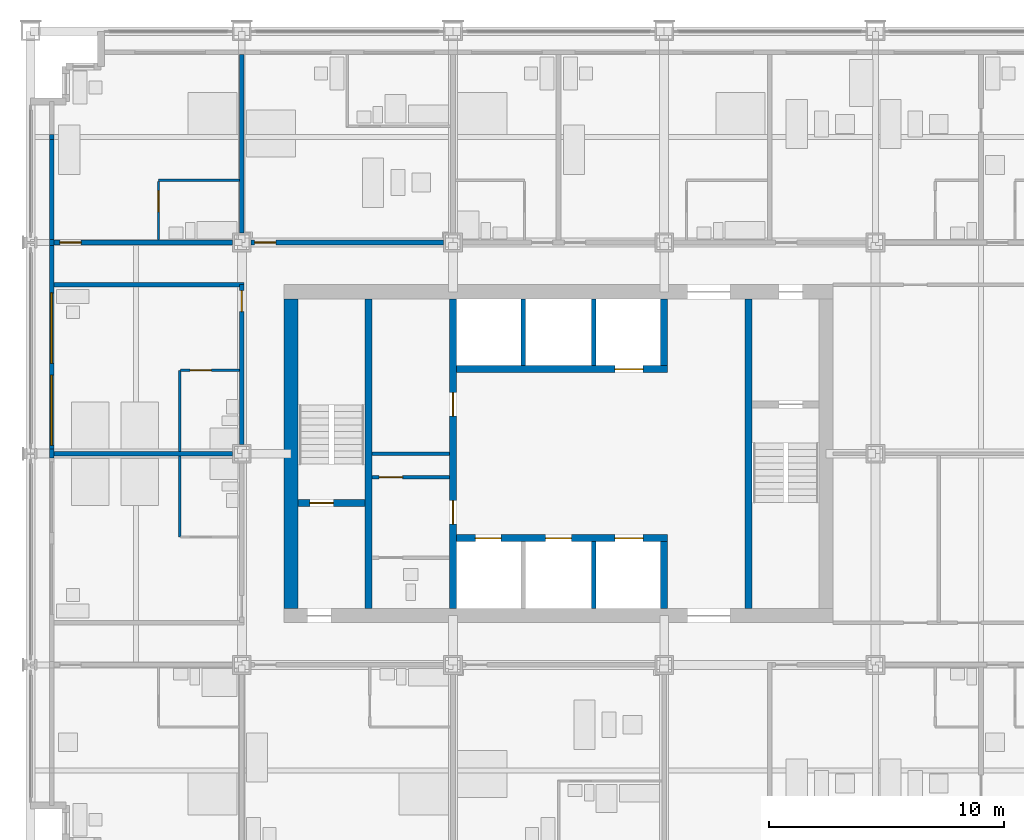
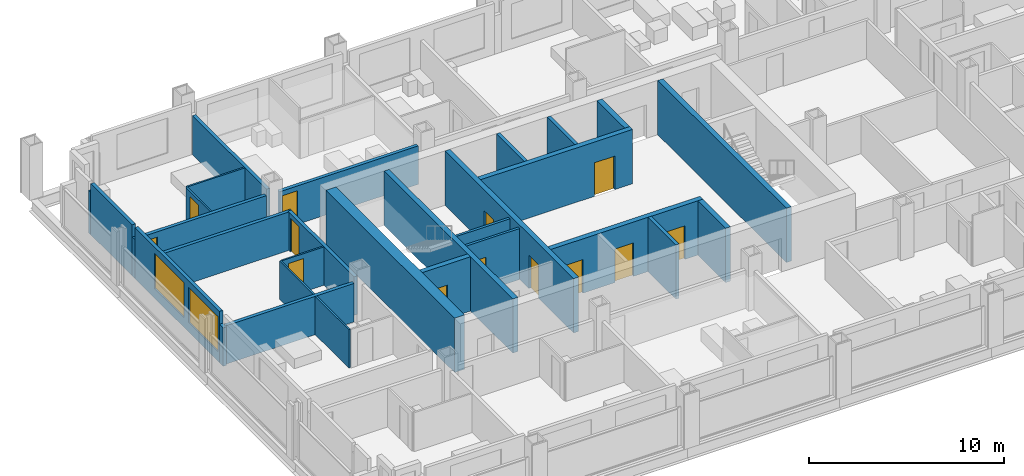
# One storey, part 11 of 18: 30 walls, 13 doors, 2 windows, 15 openings.
"""IFC4 building model written with IfcOpenShell, lengths in metres."""

from ifc_helpers import new_model, si_unit, direction, frame, frame_2d, origin, place, context, subcontext, project, spatial, rectangle, extrude, material, layer, layer_set, type_object, element, fill, save


model = new_model("IFC4")

# Units and contexts
model_context = context("Model", 3, precision=1e-05, world=origin(), true_north=direction((0.0, 1.0)))
body_context = subcontext(model_context, "Body", "Model", "MODEL_VIEW")
ifc_project = project(units=[si_unit("LENGTHUNIT", "METRE"), si_unit("AREAUNIT", "SQUARE_METRE"), si_unit("VOLUMEUNIT", "CUBIC_METRE"), si_unit("PLANEANGLEUNIT", "RADIAN"), si_unit("MASSUNIT", "GRAM", prefix="KILO")], contexts=[model_context])

# Site, building, storey
site_placement = place(None, origin())
site = spatial("IfcSite", under=ifc_project, at=site_placement, CompositionType="ELEMENT")
building_placement = place(site_placement, origin())
building = spatial("IfcBuilding", under=site, at=building_placement, Name="Loomwork Tower", CompositionType="ELEMENT")
storey_placement = place(building_placement, frame((0.0, 0.0, 72.199951171875)))
storey = spatial("IfcBuildingStorey", under=building, at=storey_placement, Name="L18", CompositionType="ELEMENT", Elevation=72.199951171875)

# Wall
ifc_material_1 = material(Name="Concrete 14000 psi (97 MPa)", Category="concrete")
ifc_layer_1 = layer(ifc_material_1, 0.300048828125)
ifc_layer_set_1 = layer_set([ifc_layer_1], Name="Core shear wall 300")
wall_type_1 = type_object("IfcWallType", Name="Core shear wall 300", PredefinedType="SHEAR", material=ifc_layer_set_1)
wall_1_placement = place(storey_placement, frame((14.39990234375, 11.39990234375, 0.0), z_axis=(0.0, 0.0, 1.0), x_axis=(0.0, 1.0, 0.0)))
element("IfcWall", 1, at=wall_1_placement, inside=storey, type_object=wall_type_1, Name="Stair A east wall L18", PredefinedType="SHEAR", context=body_context, shape_type="SweptSolid", body=[
    extrude(rectangle(XDim=13.2001953125, YDim=0.300048828125, at=frame_2d((6.60009765625, 0.0))), origin(), (0.0, 0.0, 1.0), 3.400146484375),
])

# Wall, opening, door
wall_2_placement = place(storey_placement, frame((11.39990234375, 15.89990234375, 0.0), z_axis=(0.0, 0.0, 1.0), x_axis=(1.0, 0.0, 0.0)))
wall_2 = element("IfcWall", 2, at=wall_2_placement, inside=storey, type_object=wall_type_1, Name="Stair A south wall L18", PredefinedType="SHEAR", context=body_context, shape_type="SweptSolid", body=[
    extrude(rectangle(XDim=2.85009765625, YDim=0.300048828125, at=frame_2d((1.425048828125, 0.0))), origin(), (0.0, 0.0, 1.0), 3.400146484375),
])
opening_1_placement = place(wall_2_placement, frame((0.5, 0.0, 0.0)))
opening_1 = element("IfcOpeningElement", 3, at=opening_1_placement, cuts=wall_2, Name="Opening D4", PredefinedType="OPENING", context=body_context, shape_type="SweptSolid", body=[
    extrude(rectangle(XDim=1.0, YDim=2.10009765625, at=frame_2d((0.5, 1.050048828125))), frame((0.0, 0.159912109375, 0.0), z_axis=(0.0, -1.0, 0.0), x_axis=(1.0, 0.0, 0.0)), (0.0, 0.0, 1.0), 0.320068359375),
])
ifc_material_2 = material(Name="Hollow metal door and frame")
door_type_1 = type_object("IfcDoorType", Name="Stair door 1000", OperationType="SINGLE_SWING_RIGHT", PredefinedType="DOOR", material=ifc_material_2)
door_1_placement = place(opening_1_placement, origin())
door_1 = element("IfcDoor", 4, at=door_1_placement, inside=storey, type_object=door_type_1, Name="Stair A door", OperationType="SINGLE_SWING_LEFT", OverallHeight=2.10009765625, OverallWidth=1.0, PredefinedType="DOOR", context=body_context, shape_type="SweptSolid", body=[
    extrude(rectangle(XDim=1.0, YDim=2.10009765625, at=frame_2d((0.5, 1.050048828125))), frame((0.0, 0.02490234375, 0.0), z_axis=(0.0, -1.0, 0.0), x_axis=(1.0, 0.0, 0.0)), (0.0, 0.0, 1.0), 0.050048828125),
])
fill(opening_1, door_1)

# Wall, openings, doors
wall_3_placement = place(storey_placement, frame((18.0, 11.39990234375, 0.0), z_axis=(0.0, 0.0, 1.0), x_axis=(0.0, 1.0, 0.0)))
wall_3 = element("IfcWall", 5, at=wall_3_placement, inside=storey, type_object=wall_type_1, Name="Lobby west wall L18", PredefinedType="SHEAR", context=body_context, shape_type="SweptSolid", body=[
    extrude(rectangle(XDim=13.2001953125, YDim=0.300048828125, at=frame_2d((6.60009765625, 0.0))), origin(), (0.0, 0.0, 1.0), 3.400146484375),
])
opening_2_placement = place(wall_3_placement, frame((3.60009765625, 0.0, 0.0)))
opening_2 = element("IfcOpeningElement", 6, at=opening_2_placement, cuts=wall_3, Name="Opening D5", PredefinedType="OPENING", context=body_context, shape_type="SweptSolid", body=[
    extrude(rectangle(XDim=1.0, YDim=2.10009765625, at=frame_2d((0.5, 1.050048828125))), frame((0.0, 0.159912109375, 0.0), z_axis=(0.0, -1.0, 0.0), x_axis=(1.0, 0.0, 0.0)), (0.0, 0.0, 1.0), 0.320068359375),
])
opening_3_placement = place(wall_3_placement, frame((8.199951171875, 0.0, 0.0)))
opening_3 = element("IfcOpeningElement", 7, at=opening_3_placement, cuts=wall_3, Name="Opening D5", PredefinedType="OPENING", context=body_context, shape_type="SweptSolid", body=[
    extrude(rectangle(XDim=1.0, YDim=2.10009765625, at=frame_2d((0.5, 1.050048828125))), frame((0.0, 0.159912109375, 0.0), z_axis=(0.0, -1.0, 0.0), x_axis=(1.0, 0.0, 0.0)), (0.0, 0.0, 1.0), 0.320068359375),
])
ifc_material_3 = material(Name="Hollow metal door and frame")
door_type_2 = type_object("IfcDoorType", Name="Service door 1000", OperationType="SINGLE_SWING_LEFT", PredefinedType="DOOR", material=ifc_material_3)
door_2_placement = place(opening_2_placement, origin())
door_2 = element("IfcDoor", 8, at=door_2_placement, inside=storey, type_object=door_type_2, Name="Back-of-house door south", OperationType="SINGLE_SWING_LEFT", OverallHeight=2.10009765625, OverallWidth=1.0, PredefinedType="DOOR", context=body_context, shape_type="SweptSolid", body=[
    extrude(rectangle(XDim=1.0, YDim=2.10009765625, at=frame_2d((0.5, 1.050048828125))), frame((0.0, 0.02490234375, 0.0), z_axis=(0.0, -1.0, 0.0), x_axis=(1.0, 0.0, 0.0)), (0.0, 0.0, 1.0), 0.050048828125),
])
fill(opening_2, door_2)
door_3_placement = place(opening_3_placement, origin())
door_3 = element("IfcDoor", 9, at=door_3_placement, inside=storey, type_object=door_type_2, Name="Back-of-house door north", OperationType="SINGLE_SWING_RIGHT", OverallHeight=2.10009765625, OverallWidth=1.0, PredefinedType="DOOR", context=body_context, shape_type="SweptSolid", body=[
    extrude(rectangle(XDim=1.0, YDim=2.10009765625, at=frame_2d((0.5, 1.050048828125))), frame((0.0, 0.02490234375, 0.0), z_axis=(0.0, -1.0, 0.0), x_axis=(1.0, 0.0, 0.0)), (0.0, 0.0, 1.0), 0.050048828125),
])
fill(opening_3, door_3)

wall_4_placement = place(storey_placement, frame((18.14990234375, 14.39990234375, 0.0), z_axis=(0.0, 0.0, 1.0), x_axis=(1.0, 0.0, 0.0)))
wall_4 = element("IfcWall", 10, at=wall_4_placement, inside=storey, type_object=wall_type_1, Name="Lift front wall south L18", PredefinedType="SHEAR", context=body_context, shape_type="SweptSolid", body=[
    extrude(rectangle(XDim=9.0, YDim=0.300048828125, at=frame_2d((4.5, 0.0))), origin(), (0.0, 0.0, 1.0), 3.400146484375),
])
opening_4_placement = place(wall_4_placement, frame((0.800048828125, 0.0, 0.0)))
opening_4 = element("IfcOpeningElement", 11, at=opening_4_placement, cuts=wall_4, Name="Opening LD1", PredefinedType="OPENING", context=body_context, shape_type="SweptSolid", body=[
    extrude(rectangle(XDim=1.10009765625, YDim=2.10009765625, at=frame_2d((0.550048828125, 1.050048828125))), frame((0.0, 0.159912109375, 0.0), z_axis=(0.0, -1.0, 0.0), x_axis=(1.0, 0.0, 0.0)), (0.0, 0.0, 1.0), 0.320068359375),
])
opening_5_placement = place(wall_4_placement, frame((3.800048828125, 0.0, 0.0)))
opening_5 = element("IfcOpeningElement", 12, at=opening_5_placement, cuts=wall_4, Name="Opening LD1", PredefinedType="OPENING", context=body_context, shape_type="SweptSolid", body=[
    extrude(rectangle(XDim=1.10009765625, YDim=2.10009765625, at=frame_2d((0.550048828125, 1.050048828125))), frame((0.0, 0.159912109375, 0.0), z_axis=(0.0, -1.0, 0.0), x_axis=(1.0, 0.0, 0.0)), (0.0, 0.0, 1.0), 0.320068359375),
])
opening_6_placement = place(wall_4_placement, frame((6.75, 0.0, 0.0)))
opening_6 = element("IfcOpeningElement", 13, at=opening_6_placement, cuts=wall_4, Name="Opening LD2", PredefinedType="OPENING", context=body_context, shape_type="SweptSolid", body=[
    extrude(rectangle(XDim=1.199951171875, YDim=2.10009765625, at=frame_2d((0.60009765625, 1.050048828125))), frame((0.0, 0.159912109375, 0.0), z_axis=(0.0, -1.0, 0.0), x_axis=(1.0, 0.0, 0.0)), (0.0, 0.0, 1.0), 0.320068359375),
])
ifc_material_4 = material(Name="Hollow metal door and frame")
door_type_3 = type_object("IfcDoorType", Name="Lift landing door 1100", OperationType="SLIDING_TO_LEFT", PredefinedType="DOOR", material=ifc_material_4)
door_4_placement = place(opening_4_placement, origin())
door_4 = element("IfcDoor", 14, at=door_4_placement, inside=storey, type_object=door_type_3, Name="Lift landing door LA1", OperationType="SLIDING_TO_LEFT", OverallHeight=2.10009765625, OverallWidth=1.10009765625, PredefinedType="DOOR", context=body_context, shape_type="SweptSolid", body=[
    extrude(rectangle(XDim=1.10009765625, YDim=2.10009765625, at=frame_2d((0.550048828125, 1.050048828125))), frame((0.0, 0.02490234375, 0.0), z_axis=(0.0, -1.0, 0.0), x_axis=(1.0, 0.0, 0.0)), (0.0, 0.0, 1.0), 0.050048828125),
])
fill(opening_4, door_4)
door_5_placement = place(opening_5_placement, origin())
door_5 = element("IfcDoor", 15, at=door_5_placement, inside=storey, type_object=door_type_3, Name="Lift landing door LA2", OperationType="SLIDING_TO_LEFT", OverallHeight=2.10009765625, OverallWidth=1.10009765625, PredefinedType="DOOR", context=body_context, shape_type="SweptSolid", body=[
    extrude(rectangle(XDim=1.10009765625, YDim=2.10009765625, at=frame_2d((0.550048828125, 1.050048828125))), frame((0.0, 0.02490234375, 0.0), z_axis=(0.0, -1.0, 0.0), x_axis=(1.0, 0.0, 0.0)), (0.0, 0.0, 1.0), 0.050048828125),
])
fill(opening_5, door_5)
ifc_material_5 = material(Name="Hollow metal door and frame")
door_type_4 = type_object("IfcDoorType", Name="Lift landing door 1200", OperationType="SLIDING_TO_LEFT", PredefinedType="DOOR", material=ifc_material_5)
door_6_placement = place(opening_6_placement, origin())
door_6 = element("IfcDoor", 16, at=door_6_placement, inside=storey, type_object=door_type_4, Name="Lift landing door LF1", OperationType="SLIDING_TO_LEFT", OverallHeight=2.10009765625, OverallWidth=1.199951171875, PredefinedType="DOOR", context=body_context, shape_type="SweptSolid", body=[
    extrude(rectangle(XDim=1.199951171875, YDim=2.10009765625, at=frame_2d((0.60009765625, 1.050048828125))), frame((0.0, 0.02490234375, 0.0), z_axis=(0.0, -1.0, 0.0), x_axis=(1.0, 0.0, 0.0)), (0.0, 0.0, 1.0), 0.050048828125),
])
fill(opening_6, door_6)

# Wall
wall_5_placement = place(storey_placement, frame((27.0, 11.39990234375, 0.0), z_axis=(0.0, 0.0, 1.0), x_axis=(0.0, 1.0, 0.0)))
element("IfcWall", 17, at=wall_5_placement, inside=storey, type_object=wall_type_1, Name="Lift shaft end wall south L18", PredefinedType="SHEAR", context=body_context, shape_type="SweptSolid", body=[
    extrude(rectangle(XDim=2.85009765625, YDim=0.300048828125, at=frame_2d((1.425048828125, 0.0))), origin(), (0.0, 0.0, 1.0), 3.400146484375),
])

# Wall, opening, door
wall_6_placement = place(storey_placement, frame((18.14990234375, 21.60009765625, 0.0), z_axis=(0.0, 0.0, 1.0), x_axis=(1.0, 0.0, 0.0)))
wall_6 = element("IfcWall", 18, at=wall_6_placement, inside=storey, type_object=wall_type_1, Name="Lift front wall north L18", PredefinedType="SHEAR", context=body_context, shape_type="SweptSolid", body=[
    extrude(rectangle(XDim=9.0, YDim=0.300048828125, at=frame_2d((4.5, 0.0))), origin(), (0.0, 0.0, 1.0), 3.400146484375),
])
opening_7_placement = place(wall_6_placement, frame((6.75, 0.0, 0.0)))
opening_7 = element("IfcOpeningElement", 19, at=opening_7_placement, cuts=wall_6, Name="Opening LD2", PredefinedType="OPENING", context=body_context, shape_type="SweptSolid", body=[
    extrude(rectangle(XDim=1.199951171875, YDim=2.10009765625, at=frame_2d((0.60009765625, 1.050048828125))), frame((0.0, 0.159912109375, 0.0), z_axis=(0.0, -1.0, 0.0), x_axis=(1.0, 0.0, 0.0)), (0.0, 0.0, 1.0), 0.320068359375),
])
door_7_placement = place(opening_7_placement, origin())
door_7 = element("IfcDoor", 20, at=door_7_placement, inside=storey, type_object=door_type_4, Name="Lift landing door LF2", OperationType="SLIDING_TO_LEFT", OverallHeight=2.10009765625, OverallWidth=1.199951171875, PredefinedType="DOOR", context=body_context, shape_type="SweptSolid", body=[
    extrude(rectangle(XDim=1.199951171875, YDim=2.10009765625, at=frame_2d((0.60009765625, 1.050048828125))), frame((0.0, 0.02490234375, 0.0), z_axis=(0.0, -1.0, 0.0), x_axis=(1.0, 0.0, 0.0)), (0.0, 0.0, 1.0), 0.050048828125),
])
fill(opening_7, door_7)

# Walls
wall_7_placement = place(storey_placement, frame((27.0, 21.75, 0.0), z_axis=(0.0, 0.0, 1.0), x_axis=(0.0, 1.0, 0.0)))
element("IfcWall", 21, at=wall_7_placement, inside=storey, type_object=wall_type_1, Name="Lift shaft end wall north L18", PredefinedType="SHEAR", context=body_context, shape_type="SweptSolid", body=[
    extrude(rectangle(XDim=2.85009765625, YDim=0.300048828125, at=frame_2d((1.425048828125, 0.0))), origin(), (0.0, 0.0, 1.0), 3.400146484375),
])
wall_8_placement = place(storey_placement, frame((30.60009765625, 11.39990234375, 0.0), z_axis=(0.0, 0.0, 1.0), x_axis=(0.0, 1.0, 0.0)))
element("IfcWall", 22, at=wall_8_placement, inside=storey, type_object=wall_type_1, Name="Stair B west wall L18", PredefinedType="SHEAR", context=body_context, shape_type="SweptSolid", body=[
    extrude(rectangle(XDim=13.2001953125, YDim=0.300048828125, at=frame_2d((6.60009765625, 0.0))), origin(), (0.0, 0.0, 1.0), 3.400146484375),
])
ifc_material_6 = material(Name="Concrete 14000 psi (97 MPa)", Category="concrete")
ifc_layer_2 = layer(ifc_material_6, 0.60009765625)
ifc_layer_set_2 = layer_set([ifc_layer_2], Name="Core shear wall 600")
wall_type_2 = type_object("IfcWallType", Name="Core shear wall 600", PredefinedType="SHEAR", material=ifc_layer_set_2)
wall_9_placement = place(storey_placement, frame((11.10009765625, 11.39990234375, 0.0), z_axis=(0.0, 0.0, 1.0), x_axis=(0.0, 1.0, 0.0)))
element("IfcWall", 23, at=wall_9_placement, inside=storey, type_object=wall_type_2, Name="Core wall west L18", PredefinedType="SHEAR", context=body_context, shape_type="SweptSolid", body=[
    extrude(rectangle(XDim=13.2001953125, YDim=0.60009765625, at=frame_2d((6.60009765625, 0.0))), origin(), (0.0, 0.0, 1.0), 3.400146484375),
])

# Wall, opening, door
ifc_material_7 = material(Name="Gypsum board on steel studs, one-hour", Category="steel")
ifc_layer_3 = layer(ifc_material_7, 0.199951171875)
ifc_layer_set_3 = layer_set([ifc_layer_3], Name="Corridor wall 200")
wall_type_3 = type_object("IfcWallType", Name="Corridor wall 200", PredefinedType="PARTITIONING", material=ifc_layer_set_3)
wall_10_placement = place(storey_placement, frame((1.0, 27.0, 0.0), z_axis=(0.0, 0.0, 1.0), x_axis=(1.0, 0.0, 0.0)))
wall_10 = element("IfcWall", 24, at=wall_10_placement, inside=storey, type_object=wall_type_3, Name="North corridor wall 1", PredefinedType="PARTITIONING", context=body_context, shape_type="SweptSolid", body=[
    extrude(rectangle(XDim=7.60009765625, YDim=0.199951171875, at=frame_2d((3.800048828125, 0.0))), origin(), (0.0, 0.0, 1.0), 2.43798828125),
])
opening_8_placement = place(wall_10_placement, frame((0.25, 0.0, 0.0)))
opening_8 = element("IfcOpeningElement", 25, at=opening_8_placement, cuts=wall_10, Name="Opening D1", PredefinedType="OPENING", context=body_context, shape_type="SweptSolid", body=[
    extrude(rectangle(XDim=0.89990234375, YDim=2.10009765625, at=frame_2d((0.449951171875, 1.050048828125))), frame((0.0, 0.10986328125, 0.0), z_axis=(0.0, -1.0, 0.0), x_axis=(1.0, 0.0, 0.0)), (0.0, 0.0, 1.0), 0.219970703125),
])
ifc_material_8 = material(Name="Hollow metal door and frame")
door_type_5 = type_object("IfcDoorType", Name="Guest room entry door 900", OperationType="SINGLE_SWING_LEFT", PredefinedType="DOOR", material=ifc_material_8)
door_8_placement = place(opening_8_placement, origin())
door_8 = element("IfcDoor", 26, at=door_8_placement, inside=storey, type_object=door_type_5, Name="Guest room entry door L18 7", OperationType="SINGLE_SWING_LEFT", OverallHeight=2.10009765625, OverallWidth=0.89990234375, PredefinedType="DOOR", context=body_context, shape_type="SweptSolid", body=[
    extrude(rectangle(XDim=0.89990234375, YDim=2.10009765625, at=frame_2d((0.449951171875, 1.050048828125))), frame((0.0, 0.02490234375, 0.0), z_axis=(0.0, -1.0, 0.0), x_axis=(1.0, 0.0, 0.0)), (0.0, 0.0, 1.0), 0.050048828125),
])
fill(opening_8, door_8)

wall_11_placement = place(storey_placement, frame((9.39990234375, 27.0, 0.0), z_axis=(0.0, 0.0, 1.0), x_axis=(1.0, 0.0, 0.0)))
wall_11 = element("IfcWall", 27, at=wall_11_placement, inside=storey, type_object=wall_type_3, Name="North corridor wall 2", PredefinedType="PARTITIONING", context=body_context, shape_type="SweptSolid", body=[
    extrude(rectangle(XDim=8.2001953125, YDim=0.199951171875, at=frame_2d((4.10009765625, 0.0))), origin(), (0.0, 0.0, 1.0), 2.405029296875),
])
opening_9_placement = place(wall_11_placement, frame((0.14990234375, 0.0, 0.0)))
opening_9 = element("IfcOpeningElement", 28, at=opening_9_placement, cuts=wall_11, Name="Opening D1", PredefinedType="OPENING", context=body_context, shape_type="SweptSolid", body=[
    extrude(rectangle(XDim=0.89990234375, YDim=2.10009765625, at=frame_2d((0.449951171875, 1.050048828125))), frame((0.0, 0.10986328125, 0.0), z_axis=(0.0, -1.0, 0.0), x_axis=(1.0, 0.0, 0.0)), (0.0, 0.0, 1.0), 0.219970703125),
])
door_9_placement = place(opening_9_placement, origin())
door_9 = element("IfcDoor", 29, at=door_9_placement, inside=storey, type_object=door_type_5, Name="Guest room entry door L18 8", OperationType="SINGLE_SWING_LEFT", OverallHeight=2.10009765625, OverallWidth=0.89990234375, PredefinedType="DOOR", context=body_context, shape_type="SweptSolid", body=[
    extrude(rectangle(XDim=0.89990234375, YDim=2.10009765625, at=frame_2d((0.449951171875, 1.050048828125))), frame((0.0, 0.02490234375, 0.0), z_axis=(0.0, -1.0, 0.0), x_axis=(1.0, 0.0, 0.0)), (0.0, 0.0, 1.0), 0.050048828125),
])
fill(opening_9, door_9)

wall_12_placement = place(storey_placement, frame((9.0, 18.39990234375, 0.0), z_axis=(0.0, 0.0, 1.0), x_axis=(0.0, 1.0, 0.0)))
wall_12 = element("IfcWall", 30, at=wall_12_placement, inside=storey, type_object=wall_type_3, Name="West corridor wall 2", PredefinedType="PARTITIONING", context=body_context, shape_type="SweptSolid", body=[
    extrude(rectangle(XDim=6.800048828125, YDim=0.199951171875, at=frame_2d((3.39990234375, 0.0))), origin(), (0.0, 0.0, 1.0), 2.405029296875),
])
opening_10_placement = place(wall_12_placement, frame((5.64990234375, 0.0, 0.0)))
opening_10 = element("IfcOpeningElement", 31, at=opening_10_placement, cuts=wall_12, Name="Opening D1", PredefinedType="OPENING", context=body_context, shape_type="SweptSolid", body=[
    extrude(rectangle(XDim=0.89990234375, YDim=2.10009765625, at=frame_2d((0.449951171875, 1.050048828125))), frame((0.0, 0.10986328125, 0.0), z_axis=(0.0, -1.0, 0.0), x_axis=(1.0, 0.0, 0.0)), (0.0, 0.0, 1.0), 0.219970703125),
])
door_10_placement = place(opening_10_placement, origin())
door_10 = element("IfcDoor", 32, at=door_10_placement, inside=storey, type_object=door_type_5, Name="Guest room entry door L18 15", OperationType="SINGLE_SWING_RIGHT", OverallHeight=2.10009765625, OverallWidth=0.89990234375, PredefinedType="DOOR", context=body_context, shape_type="SweptSolid", body=[
    extrude(rectangle(XDim=0.89990234375, YDim=2.10009765625, at=frame_2d((0.449951171875, 1.050048828125))), frame((0.0, 0.02490234375, 0.0), z_axis=(0.0, -1.0, 0.0), x_axis=(1.0, 0.0, 0.0)), (0.0, 0.0, 1.0), 0.050048828125),
])
fill(opening_10, door_10)

# Walls
wall_13_placement = place(storey_placement, frame((1.0, 25.199951171875, 0.0), z_axis=(0.0, 0.0, 1.0), x_axis=(1.0, 0.0, 0.0)))
element("IfcWall", 33, at=wall_13_placement, inside=storey, type_object=wall_type_3, Name="West band end wall N", PredefinedType="PARTITIONING", context=body_context, shape_type="SweptSolid", body=[
    extrude(rectangle(XDim=8.10009765625, YDim=0.199951171875, at=frame_2d((4.050048828125, 0.0))), origin(), (0.0, 0.0, 1.0), 2.404052734375),
])
ifc_material_9 = material(Name="Cement board on steel studs", Category="steel")
ifc_layer_4 = layer(ifc_material_9, 0.10009765625)
ifc_layer_set_4 = layer_set([ifc_layer_4], Name="En-suite partition 100")
wall_type_4 = type_object("IfcWallType", Name="En-suite partition 100", PredefinedType="PARTITIONING", material=ifc_layer_set_4)
wall_14_placement = place(storey_placement, frame((5.449951171875, 29.64990234375, 0.0), z_axis=(0.0, 0.0, 1.0), x_axis=(1.0, 0.0, 0.0)))
element("IfcWall", 34, at=wall_14_placement, inside=storey, type_object=wall_type_4, Name="En-suite wall L18 room 7", PredefinedType="PARTITIONING", context=body_context, shape_type="SweptSolid", body=[
    extrude(rectangle(XDim=3.449951171875, YDim=0.10009765625, at=frame_2d((1.72509765625, 0.0))), origin(), (0.0, 0.0, 1.0), 2.43798828125),
])

# Wall, opening, door
wall_15_placement = place(storey_placement, frame((5.449951171875, 27.10009765625, 0.0), z_axis=(0.0, 0.0, 1.0), x_axis=(0.0, 1.0, 0.0)))
wall_15 = element("IfcWall", 35, at=wall_15_placement, inside=storey, type_object=wall_type_4, Name="En-suite side wall L18 room 7", PredefinedType="PARTITIONING", context=body_context, shape_type="SweptSolid", body=[
    extrude(rectangle(XDim=2.5, YDim=0.10009765625, at=frame_2d((1.25, 0.0))), origin(), (0.0, 0.0, 1.0), 2.43798828125),
])
opening_11_placement = place(wall_15_placement, frame((1.199951171875, 0.0, 0.0)))
opening_11 = element("IfcOpeningElement", 36, at=opening_11_placement, cuts=wall_15, Name="Opening D2", PredefinedType="OPENING", context=body_context, shape_type="SweptSolid", body=[
    extrude(rectangle(XDim=0.89990234375, YDim=2.10009765625, at=frame_2d((0.449951171875, 1.050048828125))), frame((0.0, 0.06005859375, 0.0), z_axis=(0.0, -1.0, 0.0), x_axis=(1.0, 0.0, 0.0)), (0.0, 0.0, 1.0), 0.1201171875),
])
ifc_material_10 = material(Name="Hollow metal door and frame")
door_type_6 = type_object("IfcDoorType", Name="En-suite door 900", OperationType="SINGLE_SWING_LEFT", PredefinedType="DOOR", material=ifc_material_10)
door_11_placement = place(opening_11_placement, frame((0.89990234375, 0.0, 0.0), z_axis=(0.0, 0.0, 1.0), x_axis=(-1.0, 0.0, 0.0)))
door_11 = element("IfcDoor", 37, at=door_11_placement, inside=storey, type_object=door_type_6, Name="En-suite door room 7", OperationType="SINGLE_SWING_LEFT", OverallHeight=2.10009765625, OverallWidth=0.89990234375, PredefinedType="DOOR", context=body_context, shape_type="SweptSolid", body=[
    extrude(rectangle(XDim=0.89990234375, YDim=2.10009765625, at=frame_2d((0.449951171875, 1.050048828125))), frame((0.0, 0.02490234375, 0.0), z_axis=(0.0, -1.0, 0.0), x_axis=(1.0, 0.0, 0.0)), (0.0, 0.0, 1.0), 0.050048828125),
])
fill(opening_11, door_11)

# Walls
for number, where, z_axis, x_axis, name in (
    (38, (6.35009765625, 14.449951171875, 0.0), (0.0, 0.0, 1.0), (0.0, 1.0, 0.0), "En-suite wall L18 room 14"),
    (39, (6.35009765625, 18.10009765625, 0.0), (0.0, 0.0, 1.0), (0.0, 1.0, 0.0), "En-suite wall L18 room 15"),
):
    element("IfcWall", number, at=place(storey_placement, frame(where, z_axis=z_axis, x_axis=x_axis)), inside=storey, type_object=wall_type_4, Name=name, PredefinedType="PARTITIONING", context=body_context, shape_type="SweptSolid", body=[
        extrude(rectangle(XDim=3.449951171875, YDim=0.10009765625, at=frame_2d((1.72509765625, 0.0))), origin(), (0.0, 0.0, 1.0), 2.404052734375),
    ])

# Wall, opening, door
wall_16_placement = place(storey_placement, frame((8.89990234375, 21.550048828125, 0.0), z_axis=(0.0, 0.0, 1.0), x_axis=(-1.0, 0.0, 0.0)))
wall_16 = element("IfcWall", 40, at=wall_16_placement, inside=storey, type_object=wall_type_4, Name="En-suite side wall L18 room 15", PredefinedType="PARTITIONING", context=body_context, shape_type="SweptSolid", body=[
    extrude(rectangle(XDim=2.5, YDim=0.10009765625, at=frame_2d((1.25, 0.0))), origin(), (0.0, 0.0, 1.0), 2.404052734375),
])
opening_12_placement = place(wall_16_placement, frame((1.199951171875, 0.0, 0.0)))
opening_12 = element("IfcOpeningElement", 41, at=opening_12_placement, cuts=wall_16, Name="Opening D2", PredefinedType="OPENING", context=body_context, shape_type="SweptSolid", body=[
    extrude(rectangle(XDim=0.89990234375, YDim=2.10009765625, at=frame_2d((0.449951171875, 1.050048828125))), frame((0.0, 0.06005859375, 0.0), z_axis=(0.0, -1.0, 0.0), x_axis=(1.0, 0.0, 0.0)), (0.0, 0.0, 1.0), 0.1201171875),
])
door_12_placement = place(opening_12_placement, origin())
door_12 = element("IfcDoor", 42, at=door_12_placement, inside=storey, type_object=door_type_6, Name="En-suite door room 15", OperationType="SINGLE_SWING_RIGHT", OverallHeight=2.10009765625, OverallWidth=0.89990234375, PredefinedType="DOOR", context=body_context, shape_type="SweptSolid", body=[
    extrude(rectangle(XDim=0.89990234375, YDim=2.10009765625, at=frame_2d((0.449951171875, 1.050048828125))), frame((0.0, 0.02490234375, 0.0), z_axis=(0.0, -1.0, 0.0), x_axis=(1.0, 0.0, 0.0)), (0.0, 0.0, 1.0), 0.050048828125),
])
fill(opening_12, door_12)

# Walls
ifc_material_11 = material(Name="Gypsum board on steel studs, acoustic", Category="steel")
ifc_layer_5 = layer(ifc_material_11, 0.199951171875)
ifc_layer_set_5 = layer_set([ifc_layer_5], Name="Guest room party wall 200")
wall_type_5 = type_object("IfcWallType", Name="Guest room party wall 200", PredefinedType="PARTITIONING", material=ifc_layer_set_5)
wall_17_placement = place(storey_placement, frame((9.0, 27.39990234375, 0.0), z_axis=(0.0, 0.0, 1.0), x_axis=(0.0, 1.0, 0.0)))
element("IfcWall", 43, at=wall_17_placement, inside=storey, type_object=wall_type_5, Name="Guest room party wall N 9", PredefinedType="PARTITIONING", context=body_context, shape_type="SweptSolid", body=[
    extrude(rectangle(XDim=7.60009765625, YDim=0.199951171875, at=frame_2d((3.800048828125, 0.0))), origin(), (0.0, 0.0, 1.0), 2.43798828125),
])
wall_18_placement = place(storey_placement, frame((8.60009765625, 18.0, 0.0), z_axis=(0.0, 0.0, 1.0), x_axis=(-1.0, 0.0, 0.0)))
element("IfcWall", 44, at=wall_18_placement, inside=storey, type_object=wall_type_5, Name="Guest room party wall W 18", PredefinedType="PARTITIONING", context=body_context, shape_type="SweptSolid", body=[
    extrude(rectangle(XDim=7.60009765625, YDim=0.199951171875, at=frame_2d((3.800048828125, 0.0))), origin(), (0.0, 0.0, 1.0), 2.405029296875),
])
ifc_material_12 = material(Name="Insulated steel stud wall with gypsum lining", Category="steel")
ifc_layer_6 = layer(ifc_material_12, 0.199951171875)
ifc_layer_set_6 = layer_set([ifc_layer_6], Name="Inner skin wall 200")
wall_type_6 = type_object("IfcWallType", Name="Inner skin wall 200", PredefinedType="SOLIDWALL", material=ifc_layer_set_6)
wall_19_placement = place(storey_placement, frame((0.89990234375, 17.80615234375, 0.0), z_axis=(0.0, 0.0, 1.0), x_axis=(0.0, 1.0, 0.0)))
element("IfcWall", 45, at=wall_19_placement, inside=storey, type_object=wall_type_6, Name="Inner skin wall W bay 6", PredefinedType="SOLIDWALL", context=body_context, shape_type="SweptSolid", body=[
    extrude(rectangle(XDim=0.3876953125, YDim=0.199951171875, at=frame_2d((0.19384765625, 0.0))), origin(), (0.0, 0.0, 1.0), 2.404052734375),
])

# Wall, openings, windows
wall_20_placement = place(storey_placement, frame((0.89990234375, 18.19384765625, 0.0), z_axis=(0.0, 0.0, 1.0), x_axis=(0.0, 1.0, 0.0)))
wall_20 = element("IfcWall", 46, at=wall_20_placement, inside=storey, type_object=wall_type_6, Name="Inner skin wall W bay 7", PredefinedType="SOLIDWALL", context=body_context, shape_type="SweptSolid", body=[
    extrude(rectangle(XDim=8.6708984375, YDim=0.199951171875, at=frame_2d((4.33544921875, 0.0))), origin(), (0.0, 0.0, 1.0), 3.199951171875),
])
opening_13_placement = place(wall_20_placement, frame((0.15625, 0.0, 0.60009765625)))
opening_13 = element("IfcOpeningElement", 47, at=opening_13_placement, cuts=wall_20, Name="Opening CH1", PredefinedType="OPENING", context=body_context, shape_type="SweptSolid", body=[
    extrude(rectangle(XDim=3.0, YDim=2.199951171875, at=frame_2d((1.5, 1.10009765625))), frame((0.0, 0.10986328125, 0.0), z_axis=(0.0, -1.0, 0.0), x_axis=(1.0, 0.0, 0.0)), (0.0, 0.0, 1.0), 0.219970703125),
])
opening_14_placement = place(wall_20_placement, frame((3.65625, 0.0, 0.60009765625)))
opening_14 = element("IfcOpeningElement", 48, at=opening_14_placement, cuts=wall_20, Name="Opening CH1", PredefinedType="OPENING", context=body_context, shape_type="SweptSolid", body=[
    extrude(rectangle(XDim=3.0, YDim=2.199951171875, at=frame_2d((1.5, 1.10009765625))), frame((0.0, 0.10986328125, 0.0), z_axis=(0.0, -1.0, 0.0), x_axis=(1.0, 0.0, 0.0)), (0.0, 0.0, 1.0), 0.219970703125),
])
ifc_material_13 = material(Name="Aluminium frame with clear insulated glass", Category="aluminium")
window_type = type_object("IfcWindowType", Name="Chicago window 3000", PartitioningType="TRIPLE_PANEL_VERTICAL", PredefinedType="WINDOW", material=ifc_material_13)
window_1_placement = place(opening_13_placement, origin())
window_1 = element("IfcWindow", 49, at=window_1_placement, inside=storey, type_object=window_type, Name="Chicago window L18 bay 14", OverallHeight=2.199951171875, OverallWidth=3.0, PartitioningType="TRIPLE_PANEL_VERTICAL", PredefinedType="WINDOW", context=body_context, shape_type="SweptSolid", body=[
    extrude(rectangle(XDim=3.0, YDim=2.199951171875, at=frame_2d((1.5, 1.10009765625))), frame((0.0, 0.030029296875, 0.0), z_axis=(0.0, -1.0, 0.0), x_axis=(1.0, 0.0, 0.0)), (0.0, 0.0, 1.0), 0.06005859375),
])
fill(opening_13, window_1)
window_2_placement = place(opening_14_placement, origin())
window_2 = element("IfcWindow", 50, at=window_2_placement, inside=storey, type_object=window_type, Name="Chicago window L18 bay 14", OverallHeight=2.199951171875, OverallWidth=3.0, PartitioningType="TRIPLE_PANEL_VERTICAL", PredefinedType="WINDOW", context=body_context, shape_type="SweptSolid", body=[
    extrude(rectangle(XDim=3.0, YDim=2.199951171875, at=frame_2d((1.5, 1.10009765625))), frame((0.0, 0.030029296875, 0.0), z_axis=(0.0, -1.0, 0.0), x_axis=(1.0, 0.0, 0.0)), (0.0, 0.0, 1.0), 0.06005859375),
])
fill(opening_14, window_2)

# Walls
wall_21_placement = place(storey_placement, frame((0.89990234375, 26.86474609375, 0.0), z_axis=(0.0, 0.0, 1.0), x_axis=(0.0, 1.0, 0.0)))
element("IfcWall", 51, at=wall_21_placement, inside=storey, type_object=wall_type_6, Name="Inner skin wall W bay 8", PredefinedType="SOLIDWALL", context=body_context, shape_type="SweptSolid", body=[
    extrude(rectangle(XDim=0.2705078125, YDim=0.199951171875, at=frame_2d((0.13525390625, 0.0))), origin(), (0.0, 0.0, 1.0), 2.43798828125),
])
wall_22_placement = place(storey_placement, frame((0.89990234375, 27.13525390625, 0.0), z_axis=(0.0, 0.0, 1.0), x_axis=(0.0, 1.0, 0.0)))
element("IfcWall", 52, at=wall_22_placement, inside=storey, type_object=wall_type_6, Name="Inner skin wall W bay 9", PredefinedType="SOLIDWALL", context=body_context, shape_type="SweptSolid", body=[
    extrude(rectangle(XDim=4.25732421875, YDim=0.199951171875, at=frame_2d((2.128662109375, 0.0))), origin(), (0.0, 0.0, 1.0), 3.199951171875),
])
wall_23_placement = place(storey_placement, frame((0.89990234375, 31.392578125, 0.0), z_axis=(0.0, 0.0, 1.0), x_axis=(0.0, 1.0, 0.0)))
element("IfcWall", 53, at=wall_23_placement, inside=storey, type_object=wall_type_6, Name="Inner skin wall W bay 10", PredefinedType="SOLIDWALL", context=body_context, shape_type="SweptSolid", body=[
    extrude(rectangle(XDim=0.21484375, YDim=0.199951171875, at=frame_2d((0.107421875, 0.0))), origin(), (0.0, 0.0, 1.0), 2.6611328125),
])
ifc_material_14 = material(Name="Concrete 14000 psi (97 MPa)", Category="concrete")
ifc_layer_7 = layer(ifc_material_14, 0.199951171875)
ifc_layer_set_7 = layer_set([ifc_layer_7], Name="Lift shaft wall 200")
wall_type_7 = type_object("IfcWallType", Name="Lift shaft wall 200", PredefinedType="SHEAR", material=ifc_layer_set_7)
for number, where, z_axis, x_axis, name in (
    (54, (24.0, 11.39990234375, 0.0), (0.0, 0.0, 1.0), (0.0, 1.0, 0.0), "Lift shaft separation wall south 2 L18"),
    (55, (21.0, 21.75, 0.0), (0.0, 0.0, 1.0), (0.0, 1.0, 0.0), "Lift shaft separation wall north 1 L18"),
    (56, (24.0, 21.75, 0.0), (0.0, 0.0, 1.0), (0.0, 1.0, 0.0), "Lift shaft separation wall north 2 L18"),
):
    element("IfcWall", number, at=place(storey_placement, frame(where, z_axis=z_axis, x_axis=x_axis)), inside=storey, type_object=wall_type_7, Name=name, PredefinedType="SHEAR", context=body_context, shape_type="SweptSolid", body=[
        extrude(rectangle(XDim=2.85009765625, YDim=0.199951171875, at=frame_2d((1.425048828125, 0.0))), origin(), (0.0, 0.0, 1.0), 3.400146484375),
    ])
ifc_material_15 = material(Name="Gypsum board on steel studs", Category="steel")
ifc_layer_8 = layer(ifc_material_15, 0.14990234375)
ifc_layer_set_8 = layer_set([ifc_layer_8], Name="Partition 150 two-hour")
wall_type_8 = type_object("IfcWallType", Name="Partition 150 two-hour", PredefinedType="PARTITIONING", material=ifc_layer_set_8)
wall_24_placement = place(storey_placement, frame((14.550048828125, 18.0, 0.0), z_axis=(0.0, 0.0, 1.0), x_axis=(1.0, 0.0, 0.0)))
element("IfcWall", 57, at=wall_24_placement, inside=storey, type_object=wall_type_8, Name="Back-of-house dividing wall L18", PredefinedType="PARTITIONING", context=body_context, shape_type="SweptSolid", body=[
    extrude(rectangle(XDim=3.300048828125, YDim=0.14990234375, at=frame_2d((1.64990234375, 0.0))), origin(), (0.0, 0.0, 1.0), 3.199951171875),
])

# Wall, opening, door
ifc_material_16 = material(Name="Gypsum board on steel studs, one-hour", Category="steel")
ifc_layer_9 = layer(ifc_material_16, 0.14990234375)
ifc_layer_set_9 = layer_set([ifc_layer_9], Name="Service partition 150")
wall_type_9 = type_object("IfcWallType", Name="Service partition 150", PredefinedType="PARTITIONING", material=ifc_layer_set_9)
wall_25_placement = place(storey_placement, frame((14.550048828125, 17.0, 0.0), z_axis=(0.0, 0.0, 1.0), x_axis=(1.0, 0.0, 0.0)))
wall_25 = element("IfcWall", 58, at=wall_25_placement, inside=storey, type_object=wall_type_9, Name="Riser enclosure L18", PredefinedType="PARTITIONING", context=body_context, shape_type="SweptSolid", body=[
    extrude(rectangle(XDim=3.300048828125, YDim=0.14990234375, at=frame_2d((1.64990234375, 0.0))), origin(), (0.0, 0.0, 1.0), 3.199951171875),
])
opening_15_placement = place(wall_25_placement, frame((0.300048828125, 0.0, 0.0)))
opening_15 = element("IfcOpeningElement", 59, at=opening_15_placement, cuts=wall_25, Name="Opening D18", PredefinedType="OPENING", context=body_context, shape_type="SweptSolid", body=[
    extrude(rectangle(XDim=1.0, YDim=2.10009765625, at=frame_2d((0.5, 1.050048828125))), frame((0.0, 0.0849609375, 0.0), z_axis=(0.0, -1.0, 0.0), x_axis=(1.0, 0.0, 0.0)), (0.0, 0.0, 1.0), 0.169921875),
])
ifc_material_17 = material(Name="Hollow metal door and frame")
door_type_7 = type_object("IfcDoorType", Name="Ninety-minute service door 1000", OperationType="SINGLE_SWING_LEFT", PredefinedType="DOOR", material=ifc_material_17)
door_13_placement = place(opening_15_placement, frame((1.0, 0.0, 0.0), z_axis=(0.0, 0.0, 1.0), x_axis=(-1.0, 0.0, 0.0)))
door_13 = element("IfcDoor", 60, at=door_13_placement, inside=storey, type_object=door_type_7, Name="Riser access door", OperationType="SINGLE_SWING_RIGHT", OverallHeight=2.10009765625, OverallWidth=1.0, PredefinedType="DOOR", context=body_context, shape_type="SweptSolid", body=[
    extrude(rectangle(XDim=1.0, YDim=2.10009765625, at=frame_2d((0.5, 1.050048828125))), frame((0.0, 0.02490234375, 0.0), z_axis=(0.0, -1.0, 0.0), x_axis=(1.0, 0.0, 0.0)), (0.0, 0.0, 1.0), 0.050048828125),
])
fill(opening_15, door_13)

save(model, "model.ifc")
